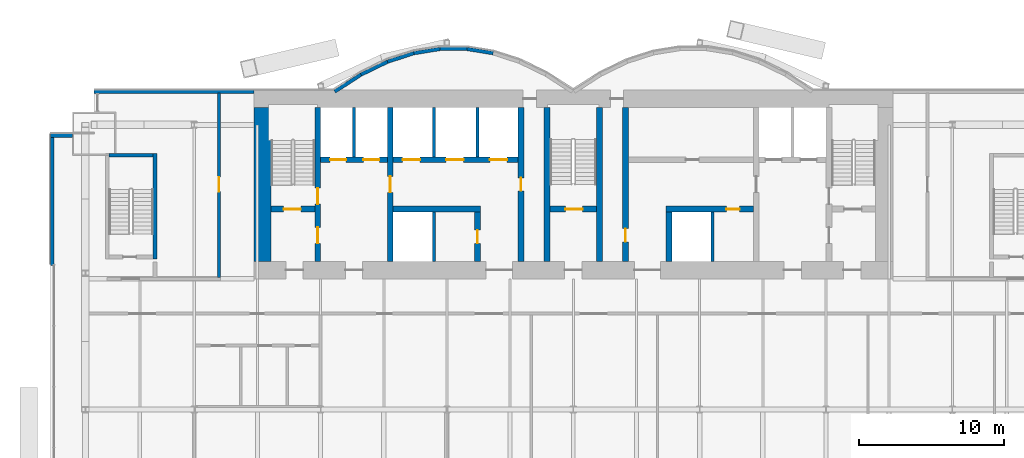
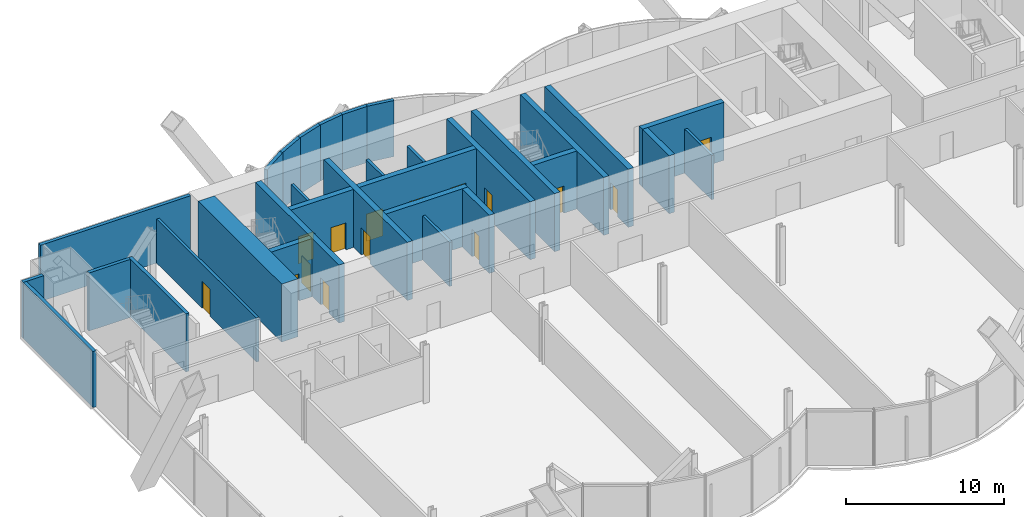
# One storey, part 18 of 23: 31 walls, 15 doors, 15 openings.
"""IFC4 building model written with IfcOpenShell, lengths in metres."""

from ifc_helpers import new_model, si_unit, direction, frame, frame_2d, origin, place, context, subcontext, project, spatial, rectangle, extrude, material, layer, layer_set, layer_usage, type_object, element, fill, save


model = new_model("IFC4")

# Units and contexts
model_context = context("Model", 3, precision=1e-05, world=origin(), true_north=direction((0.0, 1.0)))
body_context = subcontext(model_context, "Body", "Model", "MODEL_VIEW")
ifc_project = project(units=[si_unit("LENGTHUNIT", "METRE"), si_unit("AREAUNIT", "SQUARE_METRE"), si_unit("VOLUMEUNIT", "CUBIC_METRE"), si_unit("PLANEANGLEUNIT", "RADIAN"), si_unit("MASSUNIT", "GRAM", prefix="KILO")], contexts=[model_context])

# Site, building, storey
site_placement = place(None, origin())
site = spatial("IfcSite", under=ifc_project, at=site_placement, CompositionType="ELEMENT")
building_placement = place(site_placement, origin())
building = spatial("IfcBuilding", under=site, at=building_placement, Name="Bicima Exchange Tower", CompositionType="ELEMENT")
storey_placement = place(building_placement, frame((0.0, 0.0, 62.0)))
storey = spatial("IfcBuildingStorey", under=building, at=storey_placement, Name="L12", CompositionType="ELEMENT", Elevation=62.0)

# Walls
ifc_material_1 = material(Name="Gypsum board partition")
ifc_layer_1 = layer(ifc_material_1, 0.199951171875)
ifc_layer_set_1 = layer_set([ifc_layer_1], Name="Gypsum board partition")
wall_type_1 = type_object("IfcWallType", Name="Fire-rated gypsum partition 200 EI120", PredefinedType="PARTITIONING", material=ifc_layer_set_1)
for number, where, z_axis, x_axis, name in (
    (1, (-15.10009765625, -4.60009765625, 0.0), (0.0, 0.0, 1.0), (0.0, 1.0, 0.0), "partition wall 9"),
    (2, (-9.60009765625, -11.800048828125, 0.0), (0.0, 0.0, 1.0), (0.0, 1.0, 0.0), "partition wall 11"),
    (3, (-9.60009765625, -4.60009765625, 0.0), (0.0, 0.0, 1.0), (0.0, 1.0, 0.0), "partition wall 12"),
    (4, (-6.60009765625, -4.60009765625, 0.0), (0.0, 0.0, 1.0), (0.0, 1.0, 0.0), "partition wall 14"),
    (5, (9.60009765625, -11.800048828125, 0.0), (0.0, 0.0, 1.0), (0.0, 1.0, 0.0), "partition wall 20"),
):
    element("IfcWall", number, at=place(storey_placement, frame(where, z_axis=z_axis, x_axis=x_axis)), inside=storey, type_object=wall_type_1, Name=name, PredefinedType="PARTITIONING", context=body_context, shape_type="SweptSolid", body=[
        extrude(rectangle(XDim=3.400146484375, YDim=0.199951171875, at=frame_2d((1.7001953125, 0.0))), origin(), (0.0, 0.0, 1.0), 3.418212890625),
    ])

# Wall, opening, door
ifc_layer_2 = layer(ifc_material_1, 0.199951171875)
ifc_layer_set_2 = layer_set([ifc_layer_2], Name="Gypsum board partition")
wall_type_2 = type_object("IfcWallType", Name="Fire-rated gypsum partition 200 EI60", PredefinedType="PARTITIONING", material=ifc_layer_set_2)
wall_1_placement = place(storey_placement, frame((-24.39990234375, -12.89990234375, 0.0), z_axis=(0.0, 0.0, 1.0), x_axis=(0.0, 1.0, 0.0)))
wall_1 = element("IfcWall", 6, at=wall_1_placement, inside=storey, type_object=wall_type_2, Name="partition wall 15", PredefinedType="PARTITIONING", context=body_context, shape_type="SweptSolid", body=[
    extrude(rectangle(XDim=12.68994140625, YDim=0.199951171875, at=frame_2d((6.344970703125, 0.0))), origin(), (0.0, 0.0, 1.0), 3.418212890625),
])
opening_1_placement = place(wall_1_placement, frame((5.89990234375, 0.0, 0.0)))
opening_1 = element("IfcOpeningElement", 7, at=opening_1_placement, cuts=wall_1, Name="Opening L12-005", PredefinedType="OPENING", context=body_context, shape_type="SweptSolid", body=[
    extrude(rectangle(XDim=1.0, YDim=2.10009765625, at=frame_2d((0.5, 1.050048828125))), frame((0.0, 0.11181640625, 0.0), z_axis=(0.0, -1.0, 0.0), x_axis=(1.0, 0.0, 0.0)), (0.0, 0.0, 1.0), 0.223876953125),
])
ifc_material_2 = material(Name="Steel fire door leaf", Category="steel")
door_type_1 = type_object("IfcDoorType", Name="Door 1000 swing FD30S", OperationType="SINGLE_SWING_LEFT", PredefinedType="DOOR", material=ifc_material_2)
door_1_placement = place(opening_1_placement, origin())
door_1 = element("IfcDoor", 8, at=door_1_placement, inside=storey, type_object=door_type_1, Name="Door", OperationType="SINGLE_SWING_LEFT", OverallHeight=2.10009765625, OverallWidth=1.0, PredefinedType="DOOR", context=body_context, shape_type="SweptSolid", body=[
    extrude(rectangle(XDim=1.0, YDim=2.10009765625, at=frame_2d((0.5, 1.050048828125))), frame((0.0, 0.02490234375, 0.0), z_axis=(0.0, -1.0, 0.0), x_axis=(1.0, 0.0, 0.0)), (0.0, 0.0, 1.0), 0.050048828125),
])
fill(opening_1, door_1)

# Wall
ifc_material_3 = material(Name="Concrete C60/75", Category="concrete")
ifc_layer_3 = layer(ifc_material_3, 1.199951171875)
ifc_layer_set_3 = layer_set([ifc_layer_3], Name="Concrete C60/75")
wall_type_3 = type_object("IfcWallType", Name="RC core wall 1200 C60/75", PredefinedType="SHEAR", material=ifc_layer_set_3)
wall_2_placement = place(storey_placement, frame((-21.39990234375, -11.800048828125, 0.0), z_axis=(0.0, 0.0, 1.0), x_axis=(0.0, 1.0, 0.0)))
element("IfcWall", 9, at=wall_2_placement, inside=storey, type_object=wall_type_3, Name="Core wall west", PredefinedType="SHEAR", context=body_context, shape_type="SweptSolid", body=[
    extrude(rectangle(XDim=10.60009765625, YDim=1.199951171875, at=frame_2d((5.300048828125, 0.0))), origin(), (0.0, 0.0, 1.0), 4.5),
])

# Wall, opening, door
ifc_material_4 = material(Name="Concrete C50/60", Category="concrete")
ifc_layer_4 = layer(ifc_material_4, 0.39990234375)
ifc_layer_set_4 = layer_set([ifc_layer_4], Name="Concrete C50/60")
wall_type_4 = type_object("IfcWallType", Name="RC core wall 400 C50/60", PredefinedType="SHEAR", material=ifc_layer_set_4)
wall_3_placement = place(storey_placement, frame((-20.800048828125, -8.199951171875, 0.0), z_axis=(0.0, 0.0, 1.0), x_axis=(1.0, 0.0, 0.0)))
wall_3 = element("IfcWall", 10, at=wall_3_placement, inside=storey, type_object=wall_type_4, Name="stair wall 1", PredefinedType="SHEAR", context=body_context, shape_type="SweptSolid", body=[
    extrude(rectangle(XDim=3.0, YDim=0.39990234375, at=frame_2d((1.5, 0.0))), origin(), (0.0, 0.0, 1.0), 4.5),
])
opening_2_placement = place(wall_3_placement, frame((0.85009765625, 0.0, 0.0)))
opening_2 = element("IfcOpeningElement", 11, at=opening_2_placement, cuts=wall_3, Name="Opening L12-C01", PredefinedType="OPENING", context=body_context, shape_type="SweptSolid", body=[
    extrude(rectangle(XDim=1.199951171875, YDim=2.10009765625, at=frame_2d((0.60009765625, 1.050048828125))), frame((0.0, 0.2119140625, 0.0), z_axis=(0.0, -1.0, 0.0), x_axis=(1.0, 0.0, 0.0)), (0.0, 0.0, 1.0), 0.423828125),
])
door_type_2 = type_object("IfcDoorType", Name="Door 1200 swing FD60S", OperationType="SINGLE_SWING_LEFT", PredefinedType="DOOR", material=ifc_material_2)
door_2_placement = place(opening_2_placement, origin())
door_2 = element("IfcDoor", 12, at=door_2_placement, inside=storey, type_object=door_type_2, Name="Core door", OperationType="SINGLE_SWING_LEFT", OverallHeight=2.10009765625, OverallWidth=1.199951171875, PredefinedType="DOOR", context=body_context, shape_type="SweptSolid", body=[
    extrude(rectangle(XDim=1.199951171875, YDim=2.10009765625, at=frame_2d((0.60009765625, 1.050048828125))), frame((0.0, 0.02490234375, 0.0), z_axis=(0.0, -1.0, 0.0), x_axis=(1.0, 0.0, 0.0)), (0.0, 0.0, 1.0), 0.050048828125),
])
fill(opening_2, door_2)

wall_4_placement = place(storey_placement, frame((-1.60009765625, -8.199951171875, 0.0), z_axis=(0.0, 0.0, 1.0), x_axis=(1.0, 0.0, 0.0)))
wall_4 = element("IfcWall", 13, at=wall_4_placement, inside=storey, type_object=wall_type_4, Name="stair wall 3", PredefinedType="SHEAR", context=body_context, shape_type="SweptSolid", body=[
    extrude(rectangle(XDim=3.2001953125, YDim=0.39990234375, at=frame_2d((1.60009765625, 0.0))), origin(), (0.0, 0.0, 1.0), 4.5),
])
opening_3_placement = place(wall_4_placement, frame((1.050048828125, 0.0, 0.0)))
opening_3 = element("IfcOpeningElement", 14, at=opening_3_placement, cuts=wall_4, Name="Opening L12-C03", PredefinedType="OPENING", context=body_context, shape_type="SweptSolid", body=[
    extrude(rectangle(XDim=1.199951171875, YDim=2.10009765625, at=frame_2d((0.60009765625, 1.050048828125))), frame((0.0, 0.2119140625, 0.0), z_axis=(0.0, -1.0, 0.0), x_axis=(1.0, 0.0, 0.0)), (0.0, 0.0, 1.0), 0.423828125),
])
door_3_placement = place(opening_3_placement, origin())
door_3 = element("IfcDoor", 15, at=door_3_placement, inside=storey, type_object=door_type_2, Name="Core door", OperationType="SINGLE_SWING_LEFT", OverallHeight=2.10009765625, OverallWidth=1.199951171875, PredefinedType="DOOR", context=body_context, shape_type="SweptSolid", body=[
    extrude(rectangle(XDim=1.199951171875, YDim=2.10009765625, at=frame_2d((0.60009765625, 1.050048828125))), frame((0.0, 0.02490234375, 0.0), z_axis=(0.0, -1.0, 0.0), x_axis=(1.0, 0.0, 0.0)), (0.0, 0.0, 1.0), 0.050048828125),
])
fill(opening_3, door_3)

# Wall, openings, doors
wall_5_placement = place(storey_placement, frame((-17.60009765625, -11.800048828125, 0.0), z_axis=(0.0, 0.0, 1.0), x_axis=(0.0, 1.0, 0.0)))
wall_5 = element("IfcWall", 16, at=wall_5_placement, inside=storey, type_object=wall_type_4, Name="stair wall 8", PredefinedType="SHEAR", context=body_context, shape_type="SweptSolid", body=[
    extrude(rectangle(XDim=10.60009765625, YDim=0.39990234375, at=frame_2d((5.300048828125, 0.0))), origin(), (0.0, 0.0, 1.0), 4.5),
])
opening_4_placement = place(wall_5_placement, frame((1.25, 0.0, 0.0)))
opening_4 = element("IfcOpeningElement", 17, at=opening_4_placement, cuts=wall_5, Name="Opening L12-C02", PredefinedType="OPENING", context=body_context, shape_type="SweptSolid", body=[
    extrude(rectangle(XDim=1.10009765625, YDim=2.10009765625, at=frame_2d((0.550048828125, 1.050048828125))), frame((0.0, 0.2119140625, 0.0), z_axis=(0.0, -1.0, 0.0), x_axis=(1.0, 0.0, 0.0)), (0.0, 0.0, 1.0), 0.423828125),
])
opening_5_placement = place(wall_5_placement, frame((3.949951171875, 0.0, 0.0)))
opening_5 = element("IfcOpeningElement", 18, at=opening_5_placement, cuts=wall_5, Name="Opening L12-C06", PredefinedType="OPENING", context=body_context, shape_type="SweptSolid", body=[
    extrude(rectangle(XDim=1.10009765625, YDim=2.10009765625, at=frame_2d((0.550048828125, 1.050048828125))), frame((0.0, 0.2119140625, 0.0), z_axis=(0.0, -1.0, 0.0), x_axis=(1.0, 0.0, 0.0)), (0.0, 0.0, 1.0), 0.423828125),
])
door_type_3 = type_object("IfcDoorType", Name="Door 1100 swing FD60S", OperationType="SINGLE_SWING_LEFT", PredefinedType="DOOR", material=ifc_material_2)
door_4_placement = place(opening_4_placement, frame((1.10009765625, 0.0, 0.0), z_axis=(0.0, 0.0, 1.0), x_axis=(-1.0, 0.0, 0.0)))
door_4 = element("IfcDoor", 19, at=door_4_placement, inside=storey, type_object=door_type_3, Name="Core door", OperationType="SINGLE_SWING_LEFT", OverallHeight=2.10009765625, OverallWidth=1.10009765625, PredefinedType="DOOR", context=body_context, shape_type="SweptSolid", body=[
    extrude(rectangle(XDim=1.10009765625, YDim=2.10009765625, at=frame_2d((0.550048828125, 1.050048828125))), frame((0.0, 0.02490234375, 0.0), z_axis=(0.0, -1.0, 0.0), x_axis=(1.0, 0.0, 0.0)), (0.0, 0.0, 1.0), 0.050048828125),
])
fill(opening_4, door_4)
door_5_placement = place(opening_5_placement, frame((1.10009765625, 0.0, 0.0), z_axis=(0.0, 0.0, 1.0), x_axis=(-1.0, 0.0, 0.0)))
door_5 = element("IfcDoor", 20, at=door_5_placement, inside=storey, type_object=door_type_3, Name="Core door", OperationType="SINGLE_SWING_LEFT", OverallHeight=2.10009765625, OverallWidth=1.10009765625, PredefinedType="DOOR", context=body_context, shape_type="SweptSolid", body=[
    extrude(rectangle(XDim=1.10009765625, YDim=2.10009765625, at=frame_2d((0.550048828125, 1.050048828125))), frame((0.0, 0.02490234375, 0.0), z_axis=(0.0, -1.0, 0.0), x_axis=(1.0, 0.0, 0.0)), (0.0, 0.0, 1.0), 0.050048828125),
])
fill(opening_5, door_5)

# Walls
for number, where, z_axis, x_axis, name in (
    (21, (-1.800048828125, -11.800048828125, 0.0), (0.0, 0.0, 1.0), (0.0, 1.0, 0.0), "stair wall 16"),
    (22, (1.800048828125, -11.800048828125, 0.0), (0.0, 0.0, 1.0), (0.0, 1.0, 0.0), "stair wall 17"),
):
    element("IfcWall", number, at=place(storey_placement, frame(where, z_axis=z_axis, x_axis=x_axis)), inside=storey, type_object=wall_type_4, Name=name, PredefinedType="SHEAR", context=body_context, shape_type="SweptSolid", body=[
        extrude(rectangle(XDim=10.60009765625, YDim=0.39990234375, at=frame_2d((5.300048828125, 0.0))), origin(), (0.0, 0.0, 1.0), 4.5),
    ])
ifc_layer_5 = layer(ifc_material_3, 0.39990234375)
ifc_layer_set_5 = layer_set([ifc_layer_5], Name="Concrete C60/75")
wall_type_5 = type_object("IfcWallType", Name="RC core wall 400 C60/75", PredefinedType="SHEAR", material=ifc_layer_set_5)
wall_6_placement = place(storey_placement, frame((-12.39990234375, -8.199951171875, 0.0), z_axis=(0.0, 0.0, 1.0), x_axis=(1.0, 0.0, 0.0)))
element("IfcWall", 23, at=wall_6_placement, inside=storey, type_object=wall_type_5, Name="shear wall 2", PredefinedType="SHEAR", context=body_context, shape_type="SweptSolid", body=[
    extrude(rectangle(XDim=6.0, YDim=0.39990234375, at=frame_2d((3.0, 0.0))), origin(), (0.0, 0.0, 1.0), 4.5),
])

# Wall, opening, door
wall_7_placement = place(storey_placement, frame((6.39990234375, -8.199951171875, 0.0), z_axis=(0.0, 0.0, 1.0), x_axis=(1.0, 0.0, 0.0)))
wall_7 = element("IfcWall", 24, at=wall_7_placement, inside=storey, type_object=wall_type_5, Name="shear wall 4", PredefinedType="SHEAR", context=body_context, shape_type="SweptSolid", body=[
    extrude(rectangle(XDim=6.0, YDim=0.39990234375, at=frame_2d((3.0, 0.0))), origin(), (0.0, 0.0, 1.0), 4.5),
])
opening_6_placement = place(wall_7_placement, frame((4.14990234375, 0.0, 0.0)))
opening_6 = element("IfcOpeningElement", 25, at=opening_6_placement, cuts=wall_7, Name="Opening L12-C14", PredefinedType="OPENING", context=body_context, shape_type="SweptSolid", body=[
    extrude(rectangle(XDim=0.89990234375, YDim=2.10009765625, at=frame_2d((0.449951171875, 1.050048828125))), frame((0.0, 0.2119140625, 0.0), z_axis=(0.0, -1.0, 0.0), x_axis=(1.0, 0.0, 0.0)), (0.0, 0.0, 1.0), 0.423828125),
])
door_type_4 = type_object("IfcDoorType", Name="Door 900 swing FD30S", OperationType="SINGLE_SWING_LEFT", PredefinedType="DOOR", material=ifc_material_2)
door_6_placement = place(opening_6_placement, frame((0.89990234375, 0.0, 0.0), z_axis=(0.0, 0.0, 1.0), x_axis=(-1.0, 0.0, 0.0)))
door_6 = element("IfcDoor", 26, at=door_6_placement, inside=storey, type_object=door_type_4, Name="Core door", OperationType="SINGLE_SWING_LEFT", OverallHeight=2.10009765625, OverallWidth=0.89990234375, PredefinedType="DOOR", context=body_context, shape_type="SweptSolid", body=[
    extrude(rectangle(XDim=0.89990234375, YDim=2.10009765625, at=frame_2d((0.449951171875, 1.050048828125))), frame((0.0, 0.02490234375, 0.0), z_axis=(0.0, -1.0, 0.0), x_axis=(1.0, 0.0, 0.0)), (0.0, 0.0, 1.0), 0.050048828125),
])
fill(opening_6, door_6)

# Wall, openings, doors
wall_8_placement = place(storey_placement, frame((-17.39990234375, -4.800048828125, 0.0), z_axis=(0.0, 0.0, 1.0), x_axis=(1.0, 0.0, 0.0)))
wall_8 = element("IfcWall", 27, at=wall_8_placement, inside=storey, type_object=wall_type_5, Name="shear wall 6", PredefinedType="SHEAR", context=body_context, shape_type="SweptSolid", body=[
    extrude(rectangle(XDim=13.599853515625, YDim=0.39990234375, at=frame_2d((6.7998046875, 0.0))), origin(), (0.0, 0.0, 1.0), 4.5),
])
opening_7_placement = place(wall_8_placement, frame((0.64990234375, 0.0, 0.0)))
opening_7 = element("IfcOpeningElement", 28, at=opening_7_placement, cuts=wall_8, Name="Opening LD-FF1-L12", PredefinedType="OPENING", context=body_context, shape_type="SweptSolid", body=[
    extrude(rectangle(XDim=1.10009765625, YDim=2.10009765625, at=frame_2d((0.550048828125, 1.050048828125))), frame((0.0, 0.2119140625, 0.0), z_axis=(0.0, -1.0, 0.0), x_axis=(1.0, 0.0, 0.0)), (0.0, 0.0, 1.0), 0.423828125),
])
opening_8_placement = place(wall_8_placement, frame((2.949951171875, 0.0, 0.0)))
opening_8 = element("IfcOpeningElement", 29, at=opening_8_placement, cuts=wall_8, Name="Opening LD-FF3-L12", PredefinedType="OPENING", context=body_context, shape_type="SweptSolid", body=[
    extrude(rectangle(XDim=1.10009765625, YDim=2.10009765625, at=frame_2d((0.550048828125, 1.050048828125))), frame((0.0, 0.2119140625, 0.0), z_axis=(0.0, -1.0, 0.0), x_axis=(1.0, 0.0, 0.0)), (0.0, 0.0, 1.0), 0.423828125),
])
opening_9_placement = place(wall_8_placement, frame((5.64990234375, 0.0, 0.0)))
opening_9 = element("IfcOpeningElement", 30, at=opening_9_placement, cuts=wall_8, Name="Opening LD-LB1-L12", PredefinedType="OPENING", context=body_context, shape_type="SweptSolid", body=[
    extrude(rectangle(XDim=1.199951171875, YDim=2.10009765625, at=frame_2d((0.60009765625, 1.050048828125))), frame((0.0, 0.2119140625, 0.0), z_axis=(0.0, -1.0, 0.0), x_axis=(1.0, 0.0, 0.0)), (0.0, 0.0, 1.0), 0.423828125),
])
opening_10_placement = place(wall_8_placement, frame((8.64990234375, 0.0, 0.0)))
opening_10 = element("IfcOpeningElement", 31, at=opening_10_placement, cuts=wall_8, Name="Opening LD-LB2-L12", PredefinedType="OPENING", context=body_context, shape_type="SweptSolid", body=[
    extrude(rectangle(XDim=1.199951171875, YDim=2.10009765625, at=frame_2d((0.60009765625, 1.050048828125))), frame((0.0, 0.2119140625, 0.0), z_axis=(0.0, -1.0, 0.0), x_axis=(1.0, 0.0, 0.0)), (0.0, 0.0, 1.0), 0.423828125),
])
opening_11_placement = place(wall_8_placement, frame((11.64990234375, 0.0, 0.0)))
opening_11 = element("IfcOpeningElement", 32, at=opening_11_placement, cuts=wall_8, Name="Opening LD-LB3-L12", PredefinedType="OPENING", context=body_context, shape_type="SweptSolid", body=[
    extrude(rectangle(XDim=1.199951171875, YDim=2.10009765625, at=frame_2d((0.60009765625, 1.050048828125))), frame((0.0, 0.2119140625, 0.0), z_axis=(0.0, -1.0, 0.0), x_axis=(1.0, 0.0, 0.0)), (0.0, 0.0, 1.0), 0.423828125),
])
ifc_material_5 = material(Name="Stainless steel", Category="steel")
door_type_5 = type_object("IfcDoorType", Name="Lift landing door 1100 sliding", OperationType="DOUBLE_DOOR_SLIDING", PredefinedType="DOOR", material=ifc_material_5)
door_7_placement = place(opening_7_placement, origin())
door_7 = element("IfcDoor", 33, at=door_7_placement, inside=storey, type_object=door_type_5, Name="Lift landing door FF1", OperationType="DOUBLE_DOOR_SLIDING", OverallHeight=2.10009765625, OverallWidth=1.10009765625, PredefinedType="DOOR", context=body_context, shape_type="SweptSolid", body=[
    extrude(rectangle(XDim=1.10009765625, YDim=2.10009765625, at=frame_2d((0.550048828125, 1.050048828125))), frame((0.0, 0.02490234375, 0.0), z_axis=(0.0, -1.0, 0.0), x_axis=(1.0, 0.0, 0.0)), (0.0, 0.0, 1.0), 0.050048828125),
])
fill(opening_7, door_7)
door_8_placement = place(opening_8_placement, origin())
door_8 = element("IfcDoor", 34, at=door_8_placement, inside=storey, type_object=door_type_5, Name="Lift landing door FF3", OperationType="DOUBLE_DOOR_SLIDING", OverallHeight=2.10009765625, OverallWidth=1.10009765625, PredefinedType="DOOR", context=body_context, shape_type="SweptSolid", body=[
    extrude(rectangle(XDim=1.10009765625, YDim=2.10009765625, at=frame_2d((0.550048828125, 1.050048828125))), frame((0.0, 0.02490234375, 0.0), z_axis=(0.0, -1.0, 0.0), x_axis=(1.0, 0.0, 0.0)), (0.0, 0.0, 1.0), 0.050048828125),
])
fill(opening_8, door_8)
door_type_6 = type_object("IfcDoorType", Name="Lift landing door 1200 sliding", OperationType="DOUBLE_DOOR_SLIDING", PredefinedType="DOOR", material=ifc_material_5)
door_9_placement = place(opening_9_placement, origin())
door_9 = element("IfcDoor", 35, at=door_9_placement, inside=storey, type_object=door_type_6, Name="Lift landing door LB1", OperationType="DOUBLE_DOOR_SLIDING", OverallHeight=2.10009765625, OverallWidth=1.199951171875, PredefinedType="DOOR", context=body_context, shape_type="SweptSolid", body=[
    extrude(rectangle(XDim=1.199951171875, YDim=2.10009765625, at=frame_2d((0.60009765625, 1.050048828125))), frame((0.0, 0.02490234375, 0.0), z_axis=(0.0, -1.0, 0.0), x_axis=(1.0, 0.0, 0.0)), (0.0, 0.0, 1.0), 0.050048828125),
])
fill(opening_9, door_9)
door_10_placement = place(opening_10_placement, origin())
door_10 = element("IfcDoor", 36, at=door_10_placement, inside=storey, type_object=door_type_6, Name="Lift landing door LB2", OperationType="DOUBLE_DOOR_SLIDING", OverallHeight=2.10009765625, OverallWidth=1.199951171875, PredefinedType="DOOR", context=body_context, shape_type="SweptSolid", body=[
    extrude(rectangle(XDim=1.199951171875, YDim=2.10009765625, at=frame_2d((0.60009765625, 1.050048828125))), frame((0.0, 0.02490234375, 0.0), z_axis=(0.0, -1.0, 0.0), x_axis=(1.0, 0.0, 0.0)), (0.0, 0.0, 1.0), 0.050048828125),
])
fill(opening_10, door_10)
door_11_placement = place(opening_11_placement, origin())
door_11 = element("IfcDoor", 37, at=door_11_placement, inside=storey, type_object=door_type_6, Name="Lift landing door LB3", OperationType="DOUBLE_DOOR_SLIDING", OverallHeight=2.10009765625, OverallWidth=1.199951171875, PredefinedType="DOOR", context=body_context, shape_type="SweptSolid", body=[
    extrude(rectangle(XDim=1.199951171875, YDim=2.10009765625, at=frame_2d((0.60009765625, 1.050048828125))), frame((0.0, 0.02490234375, 0.0), z_axis=(0.0, -1.0, 0.0), x_axis=(1.0, 0.0, 0.0)), (0.0, 0.0, 1.0), 0.050048828125),
])
fill(opening_11, door_11)

# Wall, opening, door
wall_9_placement = place(storey_placement, frame((-12.60009765625, -11.800048828125, 0.0), z_axis=(0.0, 0.0, 1.0), x_axis=(0.0, 1.0, 0.0)))
wall_9 = element("IfcWall", 38, at=wall_9_placement, inside=storey, type_object=wall_type_5, Name="shear wall 10", PredefinedType="SHEAR", context=body_context, shape_type="SweptSolid", body=[
    extrude(rectangle(XDim=10.60009765625, YDim=0.39990234375, at=frame_2d((5.300048828125, 0.0))), origin(), (0.0, 0.0, 1.0), 4.5),
])
opening_12_placement = place(wall_9_placement, frame((4.75, 0.0, 0.0)))
opening_12 = element("IfcOpeningElement", 39, at=opening_12_placement, cuts=wall_9, Name="Opening L12-C07", PredefinedType="OPENING", context=body_context, shape_type="SweptSolid", body=[
    extrude(rectangle(XDim=1.10009765625, YDim=2.10009765625, at=frame_2d((0.550048828125, 1.050048828125))), frame((0.0, 0.2119140625, 0.0), z_axis=(0.0, -1.0, 0.0), x_axis=(1.0, 0.0, 0.0)), (0.0, 0.0, 1.0), 0.423828125),
])
door_12_placement = place(opening_12_placement, origin())
door_12 = element("IfcDoor", 40, at=door_12_placement, inside=storey, type_object=door_type_3, Name="Core door", OperationType="SINGLE_SWING_LEFT", OverallHeight=2.10009765625, OverallWidth=1.10009765625, PredefinedType="DOOR", context=body_context, shape_type="SweptSolid", body=[
    extrude(rectangle(XDim=1.10009765625, YDim=2.10009765625, at=frame_2d((0.550048828125, 1.050048828125))), frame((0.0, 0.02490234375, 0.0), z_axis=(0.0, -1.0, 0.0), x_axis=(1.0, 0.0, 0.0)), (0.0, 0.0, 1.0), 0.050048828125),
])
fill(opening_12, door_12)

wall_10_placement = place(storey_placement, frame((-6.60009765625, -11.800048828125, 0.0), z_axis=(0.0, 0.0, 1.0), x_axis=(0.0, 1.0, 0.0)))
wall_10 = element("IfcWall", 41, at=wall_10_placement, inside=storey, type_object=wall_type_5, Name="shear wall 13", PredefinedType="SHEAR", context=body_context, shape_type="SweptSolid", body=[
    extrude(rectangle(XDim=3.400146484375, YDim=0.39990234375, at=frame_2d((1.7001953125, 0.0))), origin(), (0.0, 0.0, 1.0), 4.5),
])
opening_13_placement = place(wall_10_placement, frame((1.25, 0.0, 0.0)))
opening_13 = element("IfcOpeningElement", 42, at=opening_13_placement, cuts=wall_10, Name="Opening L12-C13", PredefinedType="OPENING", context=body_context, shape_type="SweptSolid", body=[
    extrude(rectangle(XDim=0.89990234375, YDim=2.10009765625, at=frame_2d((0.449951171875, 1.050048828125))), frame((0.0, 0.2119140625, 0.0), z_axis=(0.0, -1.0, 0.0), x_axis=(1.0, 0.0, 0.0)), (0.0, 0.0, 1.0), 0.423828125),
])
door_13_placement = place(opening_13_placement, origin())
door_13 = element("IfcDoor", 43, at=door_13_placement, inside=storey, type_object=door_type_4, Name="Core door", OperationType="SINGLE_SWING_LEFT", OverallHeight=2.10009765625, OverallWidth=0.89990234375, PredefinedType="DOOR", context=body_context, shape_type="SweptSolid", body=[
    extrude(rectangle(XDim=0.89990234375, YDim=2.10009765625, at=frame_2d((0.449951171875, 1.050048828125))), frame((0.0, 0.02490234375, 0.0), z_axis=(0.0, -1.0, 0.0), x_axis=(1.0, 0.0, 0.0)), (0.0, 0.0, 1.0), 0.050048828125),
])
fill(opening_13, door_13)

wall_11_placement = place(storey_placement, frame((-3.60009765625, -11.800048828125, 0.0), z_axis=(0.0, 0.0, 1.0), x_axis=(0.0, 1.0, 0.0)))
wall_11 = element("IfcWall", 44, at=wall_11_placement, inside=storey, type_object=wall_type_5, Name="shear wall 15", PredefinedType="SHEAR", context=body_context, shape_type="SweptSolid", body=[
    extrude(rectangle(XDim=10.60009765625, YDim=0.39990234375, at=frame_2d((5.300048828125, 0.0))), origin(), (0.0, 0.0, 1.0), 4.5),
])
opening_14_placement = place(wall_11_placement, frame((4.85009765625, 0.0, 0.0)))
opening_14 = element("IfcOpeningElement", 45, at=opening_14_placement, cuts=wall_11, Name="Opening L12-C10", PredefinedType="OPENING", context=body_context, shape_type="SweptSolid", body=[
    extrude(rectangle(XDim=0.89990234375, YDim=2.10009765625, at=frame_2d((0.449951171875, 1.050048828125))), frame((0.0, 0.2119140625, 0.0), z_axis=(0.0, -1.0, 0.0), x_axis=(1.0, 0.0, 0.0)), (0.0, 0.0, 1.0), 0.423828125),
])
door_14_placement = place(opening_14_placement, frame((0.89990234375, 0.0, 0.0), z_axis=(0.0, 0.0, 1.0), x_axis=(-1.0, 0.0, 0.0)))
door_14 = element("IfcDoor", 46, at=door_14_placement, inside=storey, type_object=door_type_4, Name="Core door", OperationType="SINGLE_SWING_LEFT", OverallHeight=2.10009765625, OverallWidth=0.89990234375, PredefinedType="DOOR", context=body_context, shape_type="SweptSolid", body=[
    extrude(rectangle(XDim=0.89990234375, YDim=2.10009765625, at=frame_2d((0.449951171875, 1.050048828125))), frame((0.0, 0.02490234375, 0.0), z_axis=(0.0, -1.0, 0.0), x_axis=(1.0, 0.0, 0.0)), (0.0, 0.0, 1.0), 0.050048828125),
])
fill(opening_14, door_14)

wall_12_placement = place(storey_placement, frame((3.60009765625, -11.800048828125, 0.0), z_axis=(0.0, 0.0, 1.0), x_axis=(0.0, 1.0, 0.0)))
wall_12 = element("IfcWall", 47, at=wall_12_placement, inside=storey, type_object=wall_type_5, Name="shear wall 18", PredefinedType="SHEAR", context=body_context, shape_type="SweptSolid", body=[
    extrude(rectangle(XDim=10.60009765625, YDim=0.39990234375, at=frame_2d((5.300048828125, 0.0))), origin(), (0.0, 0.0, 1.0), 4.5),
])
opening_15_placement = place(wall_12_placement, frame((1.35009765625, 0.0, 0.0)))
opening_15 = element("IfcOpeningElement", 48, at=opening_15_placement, cuts=wall_12, Name="Opening L12-C11", PredefinedType="OPENING", context=body_context, shape_type="SweptSolid", body=[
    extrude(rectangle(XDim=0.89990234375, YDim=2.10009765625, at=frame_2d((0.449951171875, 1.050048828125))), frame((0.0, 0.2119140625, 0.0), z_axis=(0.0, -1.0, 0.0), x_axis=(1.0, 0.0, 0.0)), (0.0, 0.0, 1.0), 0.423828125),
])
door_15_placement = place(opening_15_placement, origin())
door_15 = element("IfcDoor", 49, at=door_15_placement, inside=storey, type_object=door_type_4, Name="Core door", OperationType="SINGLE_SWING_LEFT", OverallHeight=2.10009765625, OverallWidth=0.89990234375, PredefinedType="DOOR", context=body_context, shape_type="SweptSolid", body=[
    extrude(rectangle(XDim=0.89990234375, YDim=2.10009765625, at=frame_2d((0.449951171875, 1.050048828125))), frame((0.0, 0.02490234375, 0.0), z_axis=(0.0, -1.0, 0.0), x_axis=(1.0, 0.0, 0.0)), (0.0, 0.0, 1.0), 0.050048828125),
])
fill(opening_15, door_15)

# Walls
wall_13_placement = place(storey_placement, frame((6.60009765625, -11.800048828125, 0.0), z_axis=(0.0, 0.0, 1.0), x_axis=(0.0, 1.0, 0.0)))
element("IfcWall", 50, at=wall_13_placement, inside=storey, type_object=wall_type_5, Name="shear wall 19", PredefinedType="SHEAR", context=body_context, shape_type="SweptSolid", body=[
    extrude(rectangle(XDim=3.400146484375, YDim=0.39990234375, at=frame_2d((1.7001953125, 0.0))), origin(), (0.0, 0.0, 1.0), 4.5),
])
ifc_layer_6 = layer(ifc_material_4, 0.25)
ifc_layer_set_6 = layer_set([ifc_layer_6], Name="Concrete C50/60")
wall_type_6 = type_object("IfcWallType", Name="RC stair enclosure wall 250 C50/60", PredefinedType="SHEAR", material=ifc_layer_set_6)
wall_14_placement = place(storey_placement, frame((-28.800048828125, -11.625, 0.0), z_axis=(0.0, 0.0, 1.0), x_axis=(0.0, 1.0, 0.0)))
element("IfcWall", 51, at=wall_14_placement, inside=storey, type_object=wall_type_6, Name="West end exit stair wall E", PredefinedType="SHEAR", context=body_context, shape_type="SweptSolid", body=[
    extrude(rectangle(XDim=7.25, YDim=0.25, at=frame_2d((3.625, 0.0))), origin(), (0.0, 0.0, 1.0), 4.5),
])
wall_15_placement = place(storey_placement, frame((-31.97509765625, -4.5, 0.0), z_axis=(0.0, 0.0, 1.0), x_axis=(1.0, 0.0, 0.0)))
element("IfcWall", 52, at=wall_15_placement, inside=storey, type_object=wall_type_6, Name="West end exit stair wall N", PredefinedType="SHEAR", context=body_context, shape_type="SweptSolid", body=[
    extrude(rectangle(XDim=3.050048828125, YDim=0.25, at=frame_2d((1.52490234375, 0.0))), origin(), (0.0, 0.0, 1.0), 4.5),
])
ifc_material_6 = material(Name="Concrete C40/50", Category="concrete")
ifc_layer_7 = layer(ifc_material_6, 0.25)
ifc_layer_set_7 = layer_set([ifc_layer_7], Name="Concrete C40/50")
ifc_layer_usage = layer_usage(ifc_layer_set_7, "AXIS2", "POSITIVE", -0.125)
wall_type_7 = type_object("IfcWallType", Name="Rear backup wall 250", PredefinedType="STANDARD", material=ifc_layer_set_7)
wall_16_placement = place(storey_placement, frame((-5.52001953125, 2.543212890625, 0.0), z_axis=(0.0, 0.0, 1.0), x_axis=(-0.987181718931, 0.159600293885, 0.0)))
element("IfcWall", 53, at=wall_16_placement, inside=storey, type_object=wall_type_7, material=ifc_layer_usage, Name="Rear backup wall L12 14", PredefinedType="STANDARD", context=body_context, shape_type="SweptSolid", body=[
    extrude(rectangle(XDim=1.857177734375, YDim=0.25, at=frame_2d((0.9287109375, 0.0))), origin(), (0.0, 0.0, 1.0), 4.35009765625),
])
wall_17_placement = place(storey_placement, frame((-7.333251953125, 2.837890625, 0.0), z_axis=(0.0, 0.0, 1.0), x_axis=(-1.0, 0.0, 0.0)))
element("IfcWall", 54, at=wall_17_placement, inside=storey, type_object=wall_type_7, material=ifc_layer_usage, Name="Rear backup wall L12 15", PredefinedType="STANDARD", context=body_context, shape_type="SweptSolid", body=[
    extrude(rectangle(XDim=1.83349609375, YDim=0.25, at=frame_2d((0.916748046875, 0.0))), origin(), (0.0, 0.0, 1.0), 4.35009765625),
])
wall_18_placement = place(storey_placement, frame((-9.146728515625, 2.839599609375, 0.0), z_axis=(0.0, 0.0, 1.0), x_axis=(-0.987181718931, -0.159600293885, 0.0)))
element("IfcWall", 55, at=wall_18_placement, inside=storey, type_object=wall_type_7, material=ifc_layer_usage, Name="Rear backup wall L12 16", PredefinedType="STANDARD", context=body_context, shape_type="SweptSolid", body=[
    extrude(rectangle(XDim=1.857177734375, YDim=0.25, at=frame_2d((0.9287109375, 0.0))), origin(), (0.0, 0.0, 1.0), 4.35009765625),
])
wall_19_placement = place(storey_placement, frame((-10.961669921875, 2.5478515625, 0.0), z_axis=(0.0, 0.0, 1.0), x_axis=(-0.951495806175, -0.307661714928, 0.0)))
element("IfcWall", 56, at=wall_19_placement, inside=storey, type_object=wall_type_7, material=ifc_layer_usage, Name="Rear backup wall L12 17", PredefinedType="STANDARD", context=body_context, shape_type="SweptSolid", body=[
    extrude(rectangle(XDim=1.9267578125, YDim=0.25, at=frame_2d((0.96337890625, 0.0))), origin(), (0.0, 0.0, 1.0), 4.35009765625),
])
wall_20_placement = place(storey_placement, frame((-12.77880859375, 1.961669921875, 0.0), z_axis=(0.0, 0.0, 1.0), x_axis=(-0.89982408427, -0.436252928206, 0.0)))
element("IfcWall", 57, at=wall_20_placement, inside=storey, type_object=wall_type_7, material=ifc_layer_usage, Name="Rear backup wall L12 18", PredefinedType="STANDARD", context=body_context, shape_type="SweptSolid", body=[
    extrude(rectangle(XDim=2.03759765625, YDim=0.25, at=frame_2d((1.018798828125, 0.0))), origin(), (0.0, 0.0, 1.0), 4.35009765625),
])
wall_21_placement = place(storey_placement, frame((-14.598876953125, 1.080078125, 0.0), z_axis=(0.0, 0.0, 1.0), x_axis=(-0.83981312244, -0.542875602121, 0.0)))
element("IfcWall", 58, at=wall_21_placement, inside=storey, type_object=wall_type_7, material=ifc_layer_usage, Name="Rear backup wall L12 19", PredefinedType="STANDARD", context=body_context, shape_type="SweptSolid", body=[
    extrude(rectangle(XDim=2.182861328125, YDim=0.25, at=frame_2d((1.09130859375, 0.0))), origin(), (0.0, 0.0, 1.0), 4.35009765625),
])
wall_22_placement = place(storey_placement, frame((-22.0, -0.125, 0.0), z_axis=(0.0, 0.0, 1.0), x_axis=(-1.0, 0.0, 0.0)))
element("IfcWall", 59, at=wall_22_placement, inside=storey, type_object=wall_type_7, material=ifc_layer_usage, Name="Rear backup wall L12 20", PredefinedType="STANDARD", context=body_context, shape_type="SweptSolid", body=[
    extrude(rectangle(XDim=11.0, YDim=0.25, at=frame_2d((5.5, 0.0))), origin(), (0.0, 0.0, 1.0), 4.35009765625),
])
wall_23_placement = place(storey_placement, frame((-34.5, -3.125, 0.0), z_axis=(0.0, 0.0, 1.0), x_axis=(-1.0, 0.0, 0.0)))
element("IfcWall", 60, at=wall_23_placement, inside=storey, type_object=wall_type_7, material=ifc_layer_usage, Name="Rear backup wall L12 22", PredefinedType="STANDARD", context=body_context, shape_type="SweptSolid", body=[
    extrude(rectangle(XDim=1.5, YDim=0.25, at=frame_2d((0.75, 0.0))), origin(), (0.0, 0.0, 1.0), 4.35009765625),
])
wall_24_placement = place(storey_placement, frame((-35.875, -3.0, 0.0), z_axis=(0.0, 0.0, 1.0), x_axis=(0.0, -1.0, 0.0)))
element("IfcWall", 61, at=wall_24_placement, inside=storey, type_object=wall_type_7, material=ifc_layer_usage, Name="Rear backup wall L12 23", PredefinedType="STANDARD", context=body_context, shape_type="SweptSolid", body=[
    extrude(rectangle(XDim=9.090087890625, YDim=0.25, at=frame_2d((4.544921875, 0.0))), origin(), (0.0, 0.0, 1.0), 4.35009765625),
])

save(model, "model.ifc")
